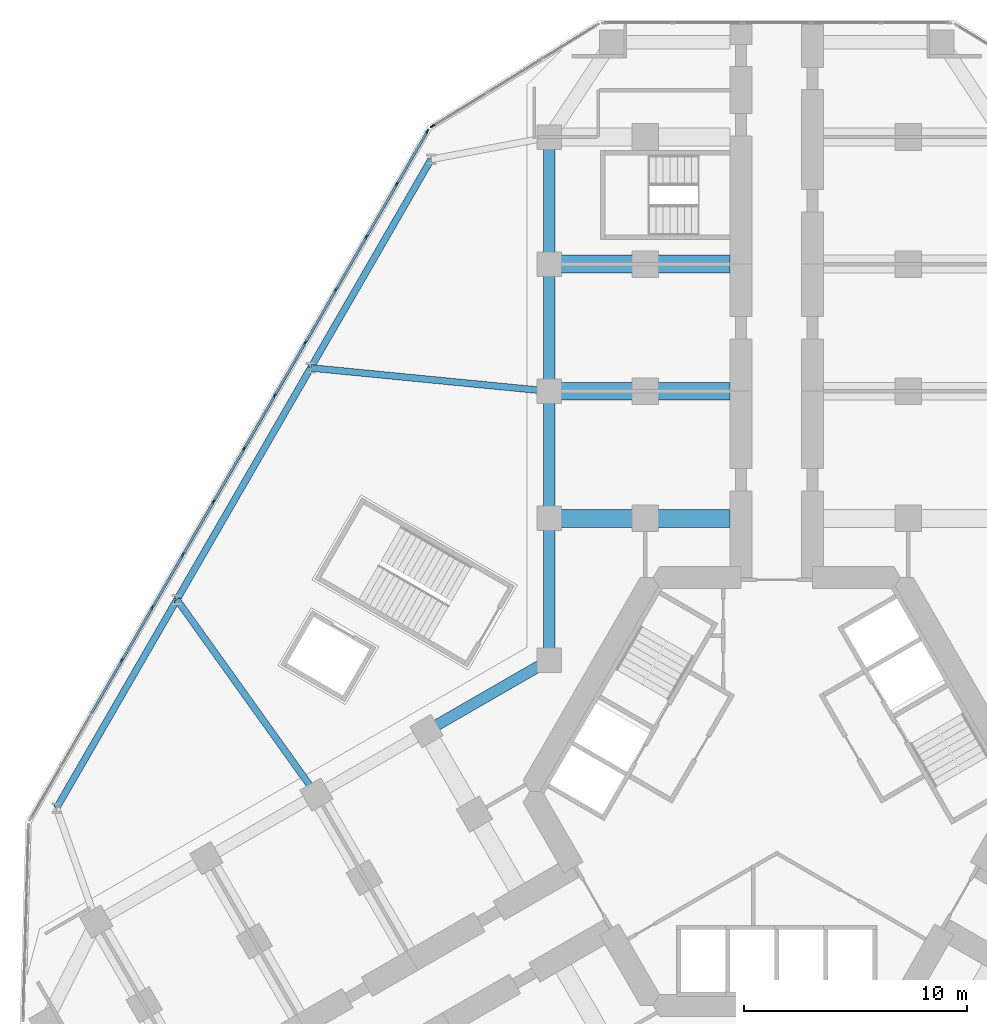
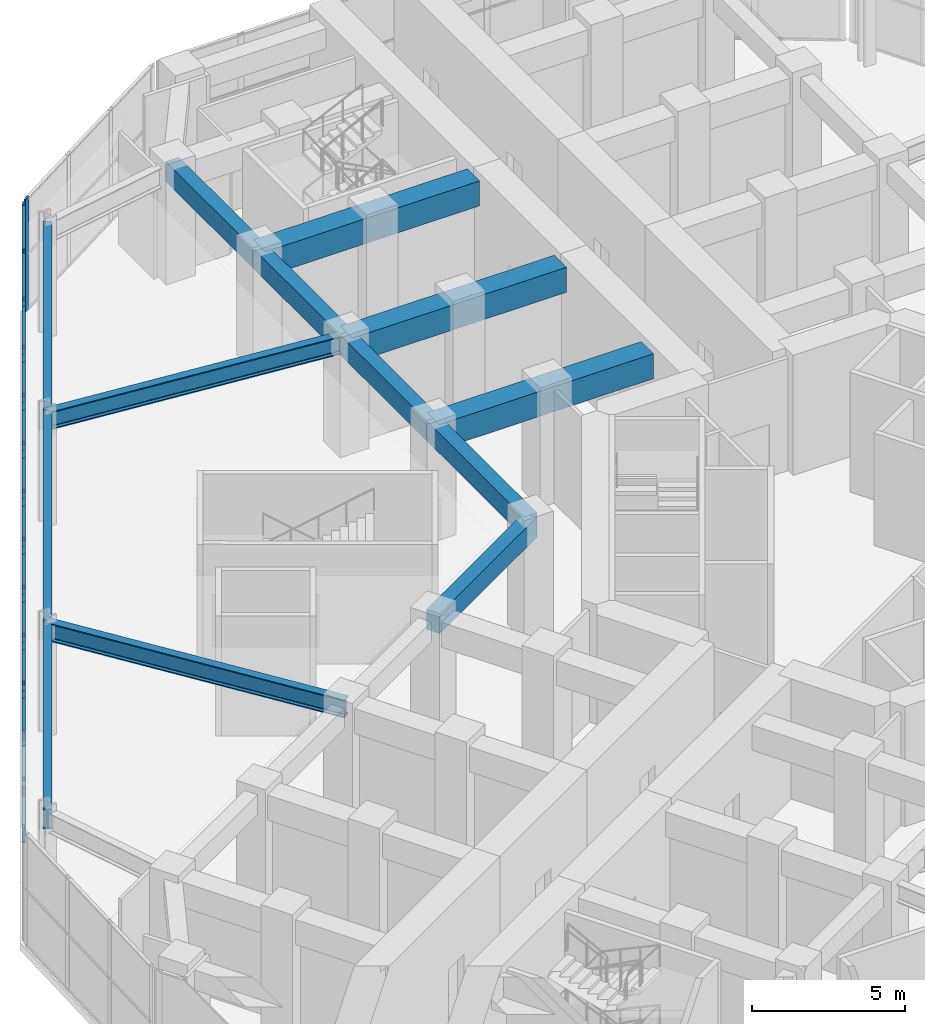
# One storey, part 7 of 22: 45 members, 13 beams, 2 elements without a shape of their own.
"""IFC4 building model written with IfcOpenShell, lengths in metres."""

from ifc_helpers import new_model, si_unit, direction, frame, origin, origin_2d, place, context, subcontext, project, spatial, rectangle, i_section, extrude, material, material_profile, profile_set, type_object, element, aggregate, save


model = new_model("IFC4")

# Units and contexts
model_context = context("Model", 3, precision=1e-05, world=origin(), true_north=direction((0.0, 1.0)))
body_context = subcontext(model_context, "Body", "Model", "MODEL_VIEW")
ifc_project = project(units=[si_unit("LENGTHUNIT", "METRE"), si_unit("AREAUNIT", "SQUARE_METRE"), si_unit("VOLUMEUNIT", "CUBIC_METRE"), si_unit("PLANEANGLEUNIT", "RADIAN"), si_unit("MASSUNIT", "GRAM", prefix="KILO")], contexts=[model_context])

# Site, building, storey
site_placement = place(None, origin())
site = spatial("IfcSite", under=ifc_project, at=site_placement, CompositionType="ELEMENT")
building_placement = place(site_placement, origin())
building = spatial("IfcBuilding", under=site, at=building_placement, Name="Kosmar Iwan School Tower", CompositionType="ELEMENT")
storey_placement = place(building_placement, frame((0.0, 0.0, 15.60009765625)))
storey = spatial("IfcBuildingStorey", under=building, at=storey_placement, Name="L03", CompositionType="ELEMENT", Elevation=15.60009765625)

# Beams
ifc_material_1 = material(Name="Steel S355", Category="steel")
ifc_material_profile_1 = material_profile(ifc_material_1, i_section(OverallWidth=0.300048828125, OverallDepth=0.800048828125, WebThickness=0.017578125, FlangeThickness=0.032958984375, FilletRadius=0.030029296875, at=origin_2d()), Name="HE 800 B")
ifc_profile_set_1 = profile_set([ifc_material_profile_1], Name="Steel S355")
beam_type_1 = type_object("IfcBeamType", Name="Infill edge beam HE 800 B", PredefinedType="BEAM", material=ifc_profile_set_1)
beam_1_placement = place(storey_placement, frame((-32.30224609375, -0.749267578125, 4.099853515625), z_axis=(0.499995103361, 0.866028230842, 0.0), x_axis=(-0.866028230842, 0.499995103361, 0.0)))
element("IfcBeam", 1, at=beam_1_placement, inside=storey, type_object=beam_type_1, Name="Infill edge beam AB2", PredefinedType="BEAM", context=body_context, shape_type="SweptSolid", body=[
    extrude(i_section(OverallWidth=0.300048828125, OverallDepth=0.800048828125, WebThickness=0.017578125, FlangeThickness=0.032958984375, FilletRadius=0.030029296875, at=origin_2d()), origin(), (0.0, 0.0, 1.0), 10.7998046875),
])
beam_2_placement = place(storey_placement, frame((-26.90234375, 8.603759765625, 4.099853515625), z_axis=(0.49999894854, 0.866026010844, 0.0), x_axis=(-0.866026010844, 0.49999894854, 0.0)))
element("IfcBeam", 2, at=beam_2_placement, inside=storey, type_object=beam_type_1, Name="Infill edge beam AB3", PredefinedType="BEAM", context=body_context, shape_type="SweptSolid", body=[
    extrude(i_section(OverallWidth=0.300048828125, OverallDepth=0.800048828125, WebThickness=0.017578125, FlangeThickness=0.032958984375, FilletRadius=0.030029296875, at=origin_2d()), origin(), (0.0, 0.0, 1.0), 12.0),
])
beam_3_placement = place(storey_placement, frame((-20.90234375, 18.99609375, 4.099853515625), z_axis=(0.500012057535, 0.866018442252, 0.0), x_axis=(-0.866018442252, 0.500012057535, 0.0)))
element("IfcBeam", 3, at=beam_3_placement, inside=storey, type_object=beam_type_1, Name="Infill edge beam AB4", PredefinedType="BEAM", context=body_context, shape_type="SweptSolid", body=[
    extrude(i_section(OverallWidth=0.300048828125, OverallDepth=0.800048828125, WebThickness=0.017578125, FlangeThickness=0.032958984375, FilletRadius=0.030029296875, at=origin_2d()), origin(), (0.0, 0.0, 1.0), 10.800048828125),
])
ifc_material_2 = material(Name="Steel S355", Category="steel")
ifc_material_profile_2 = material_profile(ifc_material_2, i_section(OverallWidth=0.303955078125, OverallDepth=0.716064453125, WebThickness=0.02099609375, FlangeThickness=0.0400390625, FilletRadius=0.027099609375, at=origin_2d()), Name="HE 700 M")
ifc_profile_set_2 = profile_set([ifc_material_profile_2], Name="Steel S355")
beam_type_2 = type_object("IfcBeamType", Name="Play deck girder HE 700 M", PredefinedType="BEAM", material=ifc_profile_set_2)
beam_4_placement = place(storey_placement, frame((-26.90234375, 8.603759765625, 4.141845703125), z_axis=(0.58187801822, -0.813276073614, 0.0), x_axis=(0.813276073614, 0.58187801822, 0.0)))
element("IfcBeam", 4, at=beam_4_placement, inside=storey, type_object=beam_type_2, Name="Infill girder AB2", PredefinedType="BEAM", context=body_context, shape_type="SweptSolid", body=[
    extrude(i_section(OverallWidth=0.303955078125, OverallDepth=0.716064453125, WebThickness=0.02099609375, FlangeThickness=0.0400390625, FilletRadius=0.027099609375, at=origin_2d()), origin(), (0.0, 0.0, 1.0), 10.753173828125),
])
beam_5_placement = place(storey_placement, frame((-20.90234375, 18.99609375, 4.141845703125), z_axis=(0.995256582335, -0.09728481546, 0.0), x_axis=(0.09728481546, 0.995256582335, 0.0)))
element("IfcBeam", 5, at=beam_5_placement, inside=storey, type_object=beam_type_2, Name="Infill girder AB3", PredefinedType="BEAM", context=body_context, shape_type="SweptSolid", body=[
    extrude(i_section(OverallWidth=0.303955078125, OverallDepth=0.716064453125, WebThickness=0.02099609375, FlangeThickness=0.0400390625, FilletRadius=0.027099609375, at=origin_2d()), origin(), (0.0, 0.0, 1.0), 10.75341796875),
])

# Curtain wall, member
ifc_material_3 = material(Name="Dark glass in black aluminium frame", Category="aluminium")
curtain_wall_type = type_object("IfcCurtainWallType", Name="Podium curtain wall", PredefinedType="USERDEFINED", material=ifc_material_3)
curtain_wall_1_placement = place(storey_placement, origin())
curtain_wall_1 = element("IfcCurtainWall", 6, at=curtain_wall_1_placement, inside=storey, type_object=curtain_wall_type, Name="Curtain wall L03-F07", ObjectType="STICK CURTAIN WALL", PredefinedType="USERDEFINED")
ifc_material_4 = material(Name="Black anodised aluminium", Category="aluminium")
ifc_material_profile_3 = material_profile(ifc_material_4, rectangle(XDim=0.06494140625, YDim=0.219970703125, at=origin_2d()), Name="MULLION 65x220")
ifc_profile_set_3 = profile_set([ifc_material_profile_3], Name="Black anodised aluminium")
member_type_1 = type_object("IfcMemberType", Name="Podium mullion 65x220", PredefinedType="MULLION", material=ifc_profile_set_3)
member_1_placement = place(storey_placement, frame((-15.433837890625, 29.84423828125, 0.0), z_axis=(0.0, 0.0, 1.0), x_axis=(0.524381722801, -0.851483299186, 0.0)))
member_1 = element("IfcMember", 7, at=member_1_placement, type_object=member_type_1, Name="CW3 mullion 4", PredefinedType="MULLION", context=body_context, shape_type="SweptSolid", body=[
    extrude(rectangle(XDim=0.06494140625, YDim=0.219970703125, at=origin_2d()), origin(), (0.0, 0.0, 1.0), 4.5),
])
aggregate(curtain_wall_1, [member_1])

# Curtain wall, members
curtain_wall_2_placement = place(storey_placement, origin())
curtain_wall_2 = element("IfcCurtainWall", 8, at=curtain_wall_2_placement, inside=storey, type_object=curtain_wall_type, Name="Curtain wall L03-F08", ObjectType="STICK CURTAIN WALL", PredefinedType="USERDEFINED")
member_2_placement = place(storey_placement, frame((-15.680419921875, 29.590576171875, 0.0), z_axis=(0.0, 0.0, 1.0), x_axis=(0.866025390869, -0.50000002237, 0.0)))
member_2 = element("IfcMember", 9, at=member_2_placement, type_object=member_type_1, Name="CW3 mullion 1", PredefinedType="MULLION", context=body_context, shape_type="SweptSolid", body=[
    extrude(rectangle(XDim=0.06494140625, YDim=0.219970703125, at=origin_2d()), origin(), (0.0, 0.0, 1.0), 4.5),
])
member_3_placement = place(storey_placement, frame((-17.034912109375, 27.24462890625, 0.0), z_axis=(0.0, 0.0, 1.0), x_axis=(0.866025390869, -0.50000002237, 0.0)))
member_3 = element("IfcMember", 10, at=member_3_placement, type_object=member_type_1, Name="CW3 mullion 2", PredefinedType="MULLION", context=body_context, shape_type="SweptSolid", body=[
    extrude(rectangle(XDim=0.06494140625, YDim=0.219970703125, at=origin_2d()), origin(), (0.0, 0.0, 1.0), 4.5),
])
member_4_placement = place(storey_placement, frame((-18.405517578125, 24.87060546875, 0.0), z_axis=(0.0, 0.0, 1.0), x_axis=(0.866025390869, -0.50000002237, 0.0)))
member_4 = element("IfcMember", 11, at=member_4_placement, type_object=member_type_1, Name="CW3 mullion 3", PredefinedType="MULLION", context=body_context, shape_type="SweptSolid", body=[
    extrude(rectangle(XDim=0.06494140625, YDim=0.219970703125, at=origin_2d()), origin(), (0.0, 0.0, 1.0), 4.5),
])
member_5_placement = place(storey_placement, frame((-19.776123046875, 22.49658203125, 0.0), z_axis=(0.0, 0.0, 1.0), x_axis=(0.866025390869, -0.50000002237, 0.0)))
member_5 = element("IfcMember", 12, at=member_5_placement, type_object=member_type_1, Name="CW3 mullion 4", PredefinedType="MULLION", context=body_context, shape_type="SweptSolid", body=[
    extrude(rectangle(XDim=0.06494140625, YDim=0.219970703125, at=origin_2d()), origin(), (0.0, 0.0, 1.0), 4.5),
])
member_6_placement = place(storey_placement, frame((-21.14697265625, 20.12255859375, 0.0), z_axis=(0.0, 0.0, 1.0), x_axis=(0.866025390869, -0.50000002237, 0.0)))
member_6 = element("IfcMember", 13, at=member_6_placement, type_object=member_type_1, Name="CW3 mullion 5", PredefinedType="MULLION", context=body_context, shape_type="SweptSolid", body=[
    extrude(rectangle(XDim=0.06494140625, YDim=0.219970703125, at=origin_2d()), origin(), (0.0, 0.0, 1.0), 4.5),
])
member_7_placement = place(storey_placement, frame((-22.517578125, 17.74853515625, 0.0), z_axis=(0.0, 0.0, 1.0), x_axis=(0.866025390869, -0.50000002237, 0.0)))
member_7 = element("IfcMember", 14, at=member_7_placement, type_object=member_type_1, Name="CW3 mullion 6", PredefinedType="MULLION", context=body_context, shape_type="SweptSolid", body=[
    extrude(rectangle(XDim=0.06494140625, YDim=0.219970703125, at=origin_2d()), origin(), (0.0, 0.0, 1.0), 4.5),
])
member_8_placement = place(storey_placement, frame((-23.88818359375, 15.37451171875, 0.0), z_axis=(0.0, 0.0, 1.0), x_axis=(0.866025390869, -0.50000002237, 0.0)))
member_8 = element("IfcMember", 15, at=member_8_placement, type_object=member_type_1, Name="CW3 mullion 7", PredefinedType="MULLION", context=body_context, shape_type="SweptSolid", body=[
    extrude(rectangle(XDim=0.06494140625, YDim=0.219970703125, at=origin_2d()), origin(), (0.0, 0.0, 1.0), 4.5),
])
member_9_placement = place(storey_placement, frame((-25.2587890625, 13.00048828125, 0.0), z_axis=(0.0, 0.0, 1.0), x_axis=(0.866025390869, -0.50000002237, 0.0)))
member_9 = element("IfcMember", 16, at=member_9_placement, type_object=member_type_1, Name="CW3 mullion 8", PredefinedType="MULLION", context=body_context, shape_type="SweptSolid", body=[
    extrude(rectangle(XDim=0.06494140625, YDim=0.219970703125, at=origin_2d()), origin(), (0.0, 0.0, 1.0), 4.5),
])
member_10_placement = place(storey_placement, frame((-26.62939453125, 10.62646484375, 0.0), z_axis=(0.0, 0.0, 1.0), x_axis=(0.866025390869, -0.50000002237, 0.0)))
member_10 = element("IfcMember", 17, at=member_10_placement, type_object=member_type_1, Name="CW3 mullion 9", PredefinedType="MULLION", context=body_context, shape_type="SweptSolid", body=[
    extrude(rectangle(XDim=0.06494140625, YDim=0.219970703125, at=origin_2d()), origin(), (0.0, 0.0, 1.0), 4.5),
])
member_11_placement = place(storey_placement, frame((-28.0, 8.25244140625, 0.0), z_axis=(0.0, 0.0, 1.0), x_axis=(0.866025390869, -0.50000002237, 0.0)))
member_11 = element("IfcMember", 18, at=member_11_placement, type_object=member_type_1, Name="CW3 mullion 10", PredefinedType="MULLION", context=body_context, shape_type="SweptSolid", body=[
    extrude(rectangle(XDim=0.06494140625, YDim=0.219970703125, at=origin_2d()), origin(), (0.0, 0.0, 1.0), 4.5),
])
member_12_placement = place(storey_placement, frame((-29.370849609375, 5.87841796875, 0.0), z_axis=(0.0, 0.0, 1.0), x_axis=(0.866025390869, -0.50000002237, 0.0)))
member_12 = element("IfcMember", 19, at=member_12_placement, type_object=member_type_1, Name="CW3 mullion 11", PredefinedType="MULLION", context=body_context, shape_type="SweptSolid", body=[
    extrude(rectangle(XDim=0.06494140625, YDim=0.219970703125, at=origin_2d()), origin(), (0.0, 0.0, 1.0), 4.5),
])

# Beams
ifc_material_5 = material(Name="Concrete C50/60", Category="concrete")
ifc_material_profile_4 = material_profile(ifc_material_5, rectangle(XDim=0.5, YDim=0.800048828125, at=origin_2d()), Name="RC 500x800")
ifc_profile_set_4 = profile_set([ifc_material_profile_4], Name="Concrete C50/60")
beam_type_3 = type_object("IfcBeamType", Name="RC edge beam 500x800", PredefinedType="BEAM", material=ifc_profile_set_4)
beam_6_placement = place(storey_placement, frame((-10.199951171875, 5.888916015625, 4.099853515625), z_axis=(0.0, 1.0, 0.0), x_axis=(-1.0, 0.0, 0.0)))
element("IfcBeam", 20, at=beam_6_placement, inside=storey, type_object=beam_type_3, Name="Edge beam AL1", PredefinedType="BEAM", context=body_context, shape_type="SweptSolid", body=[
    extrude(rectangle(XDim=0.5, YDim=0.800048828125, at=origin_2d()), origin(), (0.0, 0.0, 1.0), 6.361083984375),
])
for number, where, z_axis, x_axis, name in (
    (21, (-10.199951171875, 12.25, 4.099853515625), (0.0, 1.0, 0.0), (-1.0, 0.0, 0.0), "Edge beam AL2"),
    (22, (-10.199951171875, 17.949951171875, 4.099853515625), (0.0, 1.0, 0.0), (-1.0, 0.0, 0.0), "Edge beam AL3"),
):
    element("IfcBeam", number, at=place(storey_placement, frame(where, z_axis=z_axis, x_axis=x_axis)), inside=storey, type_object=beam_type_3, Name=name, PredefinedType="BEAM", context=body_context, shape_type="SweptSolid", body=[
        extrude(rectangle(XDim=0.5, YDim=0.800048828125, at=origin_2d()), origin(), (0.0, 0.0, 1.0), 5.699951171875),
    ])
beam_7_placement = place(storey_placement, frame((-10.199951171875, 23.64990234375, 4.099853515625), z_axis=(0.0, 1.0, 0.0), x_axis=(-1.0, 0.0, 0.0)))
element("IfcBeam", 23, at=beam_7_placement, inside=storey, type_object=beam_type_3, Name="Edge beam AL4", PredefinedType="BEAM", context=body_context, shape_type="SweptSolid", body=[
    extrude(rectangle(XDim=0.5, YDim=0.800048828125, at=origin_2d()), origin(), (0.0, 0.0, 1.0), 5.7001953125),
])
beam_8_placement = place(storey_placement, frame((-10.199951171875, 5.888916015625, 4.099853515625), z_axis=(-0.866030912664, -0.49999045822, 0.0), x_axis=(0.49999045822, -0.866030912664, 0.0)))
element("IfcBeam", 24, at=beam_8_placement, inside=storey, type_object=beam_type_3, Name="Edge beam BR1", PredefinedType="BEAM", context=body_context, shape_type="SweptSolid", body=[
    extrude(rectangle(XDim=0.5, YDim=0.800048828125, at=origin_2d()), origin(), (0.0, 0.0, 1.0), 6.36083984375),
])
ifc_material_6 = material(Name="Concrete C50/60", Category="concrete")
ifc_material_profile_5 = material_profile(ifc_material_6, rectangle(XDim=0.800048828125, YDim=1.0, at=origin_2d()), Name="RC 800x1000")
ifc_profile_set_5 = profile_set([ifc_material_profile_5], Name="Concrete C50/60")
beam_type_4 = type_object("IfcBeamType", Name="RC transverse beam 800x1000", PredefinedType="BEAM", material=ifc_profile_set_5)
for number, where, z_axis, x_axis, name in (
    (25, (-10.199951171875, 12.25, 4.0), (1.0, 0.0, 0.0), (0.0, 1.0, 0.0), "Transverse beam AL1"),
    (26, (-10.199951171875, 17.949951171875, 4.0), (1.0, 0.0, 0.0), (0.0, 1.0, 0.0), "Transverse beam AL2"),
    (27, (-10.199951171875, 23.64990234375, 4.0), (1.0, 0.0, 0.0), (0.0, 1.0, 0.0), "Transverse beam AL3"),
):
    element("IfcBeam", number, at=place(storey_placement, frame(where, z_axis=z_axis, x_axis=x_axis)), inside=storey, type_object=beam_type_4, Name=name, PredefinedType="BEAM", context=body_context, shape_type="SweptSolid", body=[
        extrude(rectangle(XDim=0.800048828125, YDim=1.0, at=origin_2d()), origin(), (0.0, 0.0, 1.0), 8.099853515625),
    ])

# Member
ifc_material_7 = material(Name="Black anodised aluminium", Category="aluminium")
ifc_material_profile_6 = material_profile(ifc_material_7, rectangle(XDim=0.1201171875, YDim=0.06005859375, at=origin_2d()), Name="TRANSOM 60x120")
ifc_profile_set_6 = profile_set([ifc_material_profile_6], Name="Black anodised aluminium")
member_type_2 = type_object("IfcMemberType", Name="Transom 60x120", PredefinedType="USERDEFINED", material=ifc_profile_set_6)
member_13_placement = place(storey_placement, frame((-15.69677734375, 29.5625, 0.02978515625), z_axis=(-0.499932946999, -0.866064113392, 0.0), x_axis=(0.866064113392, -0.499932946999, 0.0)))
member_13 = element("IfcMember", 28, at=member_13_placement, type_object=member_type_2, Name="CW3 transom 1.1", ObjectType="TRANSOM", PredefinedType="USERDEFINED", context=body_context, shape_type="SweptSolid", body=[
    extrude(rectangle(XDim=0.1201171875, YDim=0.06005859375, at=origin_2d()), origin(), (0.0, 0.0, 1.0), 2.643798828125),
])

member_14_placement = place(storey_placement, frame((-15.69677734375, 29.5625, 2.25), z_axis=(-0.499932946999, -0.866064113392, 0.0), x_axis=(0.866064113392, -0.499932946999, 0.0)))
member_14 = element("IfcMember", 29, at=member_14_placement, type_object=member_type_2, Name="CW3 transom 1.2", ObjectType="TRANSOM", PredefinedType="USERDEFINED", context=body_context, shape_type="SweptSolid", body=[
    extrude(rectangle(XDim=0.1201171875, YDim=0.06005859375, at=origin_2d()), origin(), (0.0, 0.0, 1.0), 2.643798828125),
])

member_15_placement = place(storey_placement, frame((-15.69677734375, 29.5625, 4.469970703125), z_axis=(-0.499932946999, -0.866064113392, 0.0), x_axis=(0.866064113392, -0.499932946999, 0.0)))
member_15 = element("IfcMember", 30, at=member_15_placement, type_object=member_type_2, Name="CW3 transom 1.3", ObjectType="TRANSOM", PredefinedType="USERDEFINED", context=body_context, shape_type="SweptSolid", body=[
    extrude(rectangle(XDim=0.1201171875, YDim=0.06005859375, at=origin_2d()), origin(), (0.0, 0.0, 1.0), 2.643798828125),
])

member_16_placement = place(storey_placement, frame((-17.05126953125, 27.216552734375, 0.02978515625), z_axis=(-0.499975134057, -0.866039759667, 0.0), x_axis=(0.866039759667, -0.499975134057, 0.0)))
member_16 = element("IfcMember", 31, at=member_16_placement, type_object=member_type_2, Name="CW3 transom 2.1", ObjectType="TRANSOM", PredefinedType="USERDEFINED", context=body_context, shape_type="SweptSolid", body=[
    extrude(rectangle(XDim=0.1201171875, YDim=0.06005859375, at=origin_2d()), origin(), (0.0, 0.0, 1.0), 2.676513671875),
])

member_17_placement = place(storey_placement, frame((-17.05126953125, 27.216552734375, 2.25), z_axis=(-0.499975134057, -0.866039759667, 0.0), x_axis=(0.866039759667, -0.499975134057, 0.0)))
member_17 = element("IfcMember", 32, at=member_17_placement, type_object=member_type_2, Name="CW3 transom 2.2", ObjectType="TRANSOM", PredefinedType="USERDEFINED", context=body_context, shape_type="SweptSolid", body=[
    extrude(rectangle(XDim=0.1201171875, YDim=0.06005859375, at=origin_2d()), origin(), (0.0, 0.0, 1.0), 2.676513671875),
])

member_18_placement = place(storey_placement, frame((-17.05126953125, 27.216552734375, 4.469970703125), z_axis=(-0.499975134057, -0.866039759667, 0.0), x_axis=(0.866039759667, -0.499975134057, 0.0)))
member_18 = element("IfcMember", 33, at=member_18_placement, type_object=member_type_2, Name="CW3 transom 2.3", ObjectType="TRANSOM", PredefinedType="USERDEFINED", context=body_context, shape_type="SweptSolid", body=[
    extrude(rectangle(XDim=0.1201171875, YDim=0.06005859375, at=origin_2d()), origin(), (0.0, 0.0, 1.0), 2.676513671875),
])

member_19_placement = place(storey_placement, frame((-18.421875, 24.842529296875, 0.02978515625), z_axis=(-0.499975134057, -0.866039759667, 0.0), x_axis=(0.866039759667, -0.499975134057, 0.0)))
member_19 = element("IfcMember", 34, at=member_19_placement, type_object=member_type_2, Name="CW3 transom 3.1", ObjectType="TRANSOM", PredefinedType="USERDEFINED", context=body_context, shape_type="SweptSolid", body=[
    extrude(rectangle(XDim=0.1201171875, YDim=0.06005859375, at=origin_2d()), origin(), (0.0, 0.0, 1.0), 2.676513671875),
])

member_20_placement = place(storey_placement, frame((-18.421875, 24.842529296875, 2.25), z_axis=(-0.499975134057, -0.866039759667, 0.0), x_axis=(0.866039759667, -0.499975134057, 0.0)))
member_20 = element("IfcMember", 35, at=member_20_placement, type_object=member_type_2, Name="CW3 transom 3.2", ObjectType="TRANSOM", PredefinedType="USERDEFINED", context=body_context, shape_type="SweptSolid", body=[
    extrude(rectangle(XDim=0.1201171875, YDim=0.06005859375, at=origin_2d()), origin(), (0.0, 0.0, 1.0), 2.676513671875),
])

member_21_placement = place(storey_placement, frame((-18.421875, 24.842529296875, 4.469970703125), z_axis=(-0.499975134057, -0.866039759667, 0.0), x_axis=(0.866039759667, -0.499975134057, 0.0)))
member_21 = element("IfcMember", 36, at=member_21_placement, type_object=member_type_2, Name="CW3 transom 3.3", ObjectType="TRANSOM", PredefinedType="USERDEFINED", context=body_context, shape_type="SweptSolid", body=[
    extrude(rectangle(XDim=0.1201171875, YDim=0.06005859375, at=origin_2d()), origin(), (0.0, 0.0, 1.0), 2.676513671875),
])

member_22_placement = place(storey_placement, frame((-19.79248046875, 22.468505859375, 0.02978515625), z_axis=(-0.499975134057, -0.866039759667, 0.0), x_axis=(0.866039759667, -0.499975134057, 0.0)))
member_22 = element("IfcMember", 37, at=member_22_placement, type_object=member_type_2, Name="CW3 transom 4.1", ObjectType="TRANSOM", PredefinedType="USERDEFINED", context=body_context, shape_type="SweptSolid", body=[
    extrude(rectangle(XDim=0.1201171875, YDim=0.06005859375, at=origin_2d()), origin(), (0.0, 0.0, 1.0), 2.676513671875),
])

member_23_placement = place(storey_placement, frame((-19.79248046875, 22.468505859375, 2.25), z_axis=(-0.499975134057, -0.866039759667, 0.0), x_axis=(0.866039759667, -0.499975134057, 0.0)))
member_23 = element("IfcMember", 38, at=member_23_placement, type_object=member_type_2, Name="CW3 transom 4.2", ObjectType="TRANSOM", PredefinedType="USERDEFINED", context=body_context, shape_type="SweptSolid", body=[
    extrude(rectangle(XDim=0.1201171875, YDim=0.06005859375, at=origin_2d()), origin(), (0.0, 0.0, 1.0), 2.676513671875),
])

member_24_placement = place(storey_placement, frame((-19.79248046875, 22.468505859375, 4.469970703125), z_axis=(-0.499975134057, -0.866039759667, 0.0), x_axis=(0.866039759667, -0.499975134057, 0.0)))
member_24 = element("IfcMember", 39, at=member_24_placement, type_object=member_type_2, Name="CW3 transom 4.3", ObjectType="TRANSOM", PredefinedType="USERDEFINED", context=body_context, shape_type="SweptSolid", body=[
    extrude(rectangle(XDim=0.1201171875, YDim=0.06005859375, at=origin_2d()), origin(), (0.0, 0.0, 1.0), 2.676513671875),
])

member_25_placement = place(storey_placement, frame((-21.1630859375, 20.094482421875, 0.02978515625), z_axis=(-0.499975134057, -0.866039759667, 0.0), x_axis=(0.866039759667, -0.499975134057, 0.0)))
member_25 = element("IfcMember", 40, at=member_25_placement, type_object=member_type_2, Name="CW3 transom 5.1", ObjectType="TRANSOM", PredefinedType="USERDEFINED", context=body_context, shape_type="SweptSolid", body=[
    extrude(rectangle(XDim=0.1201171875, YDim=0.06005859375, at=origin_2d()), origin(), (0.0, 0.0, 1.0), 2.676513671875),
])

member_26_placement = place(storey_placement, frame((-21.1630859375, 20.094482421875, 2.25), z_axis=(-0.499975134057, -0.866039759667, 0.0), x_axis=(0.866039759667, -0.499975134057, 0.0)))
member_26 = element("IfcMember", 41, at=member_26_placement, type_object=member_type_2, Name="CW3 transom 5.2", ObjectType="TRANSOM", PredefinedType="USERDEFINED", context=body_context, shape_type="SweptSolid", body=[
    extrude(rectangle(XDim=0.1201171875, YDim=0.06005859375, at=origin_2d()), origin(), (0.0, 0.0, 1.0), 2.676513671875),
])

member_27_placement = place(storey_placement, frame((-21.1630859375, 20.094482421875, 4.469970703125), z_axis=(-0.499975134057, -0.866039759667, 0.0), x_axis=(0.866039759667, -0.499975134057, 0.0)))
member_27 = element("IfcMember", 42, at=member_27_placement, type_object=member_type_2, Name="CW3 transom 5.3", ObjectType="TRANSOM", PredefinedType="USERDEFINED", context=body_context, shape_type="SweptSolid", body=[
    extrude(rectangle(XDim=0.1201171875, YDim=0.06005859375, at=origin_2d()), origin(), (0.0, 0.0, 1.0), 2.676513671875),
])

member_28_placement = place(storey_placement, frame((-22.53369140625, 17.720458984375, 0.02978515625), z_axis=(-0.499975134057, -0.866039759667, 0.0), x_axis=(0.866039759667, -0.499975134057, 0.0)))
member_28 = element("IfcMember", 43, at=member_28_placement, type_object=member_type_2, Name="CW3 transom 6.1", ObjectType="TRANSOM", PredefinedType="USERDEFINED", context=body_context, shape_type="SweptSolid", body=[
    extrude(rectangle(XDim=0.1201171875, YDim=0.06005859375, at=origin_2d()), origin(), (0.0, 0.0, 1.0), 2.676513671875),
])

member_29_placement = place(storey_placement, frame((-22.53369140625, 17.720458984375, 2.25), z_axis=(-0.499975134057, -0.866039759667, 0.0), x_axis=(0.866039759667, -0.499975134057, 0.0)))
member_29 = element("IfcMember", 44, at=member_29_placement, type_object=member_type_2, Name="CW3 transom 6.2", ObjectType="TRANSOM", PredefinedType="USERDEFINED", context=body_context, shape_type="SweptSolid", body=[
    extrude(rectangle(XDim=0.1201171875, YDim=0.06005859375, at=origin_2d()), origin(), (0.0, 0.0, 1.0), 2.676513671875),
])

member_30_placement = place(storey_placement, frame((-22.53369140625, 17.720458984375, 4.469970703125), z_axis=(-0.499975134057, -0.866039759667, 0.0), x_axis=(0.866039759667, -0.499975134057, 0.0)))
member_30 = element("IfcMember", 45, at=member_30_placement, type_object=member_type_2, Name="CW3 transom 6.3", ObjectType="TRANSOM", PredefinedType="USERDEFINED", context=body_context, shape_type="SweptSolid", body=[
    extrude(rectangle(XDim=0.1201171875, YDim=0.06005859375, at=origin_2d()), origin(), (0.0, 0.0, 1.0), 2.676513671875),
])

member_31_placement = place(storey_placement, frame((-23.904296875, 15.346435546875, 0.02978515625), z_axis=(-0.499975134057, -0.866039759667, 0.0), x_axis=(0.866039759667, -0.499975134057, 0.0)))
member_31 = element("IfcMember", 46, at=member_31_placement, type_object=member_type_2, Name="CW3 transom 7.1", ObjectType="TRANSOM", PredefinedType="USERDEFINED", context=body_context, shape_type="SweptSolid", body=[
    extrude(rectangle(XDim=0.1201171875, YDim=0.06005859375, at=origin_2d()), origin(), (0.0, 0.0, 1.0), 2.676513671875),
])

member_32_placement = place(storey_placement, frame((-23.904296875, 15.346435546875, 2.25), z_axis=(-0.499975134057, -0.866039759667, 0.0), x_axis=(0.866039759667, -0.499975134057, 0.0)))
member_32 = element("IfcMember", 47, at=member_32_placement, type_object=member_type_2, Name="CW3 transom 7.2", ObjectType="TRANSOM", PredefinedType="USERDEFINED", context=body_context, shape_type="SweptSolid", body=[
    extrude(rectangle(XDim=0.1201171875, YDim=0.06005859375, at=origin_2d()), origin(), (0.0, 0.0, 1.0), 2.676513671875),
])

member_33_placement = place(storey_placement, frame((-23.904296875, 15.346435546875, 4.469970703125), z_axis=(-0.499975134057, -0.866039759667, 0.0), x_axis=(0.866039759667, -0.499975134057, 0.0)))
member_33 = element("IfcMember", 48, at=member_33_placement, type_object=member_type_2, Name="CW3 transom 7.3", ObjectType="TRANSOM", PredefinedType="USERDEFINED", context=body_context, shape_type="SweptSolid", body=[
    extrude(rectangle(XDim=0.1201171875, YDim=0.06005859375, at=origin_2d()), origin(), (0.0, 0.0, 1.0), 2.676513671875),
])

member_34_placement = place(storey_placement, frame((-25.275146484375, 12.972412109375, 0.02978515625), z_axis=(-0.499975134057, -0.866039759667, 0.0), x_axis=(0.866039759667, -0.499975134057, 0.0)))
member_34 = element("IfcMember", 49, at=member_34_placement, type_object=member_type_2, Name="CW3 transom 8.1", ObjectType="TRANSOM", PredefinedType="USERDEFINED", context=body_context, shape_type="SweptSolid", body=[
    extrude(rectangle(XDim=0.1201171875, YDim=0.06005859375, at=origin_2d()), origin(), (0.0, 0.0, 1.0), 2.676513671875),
])

member_35_placement = place(storey_placement, frame((-25.275146484375, 12.972412109375, 2.25), z_axis=(-0.499975134057, -0.866039759667, 0.0), x_axis=(0.866039759667, -0.499975134057, 0.0)))
member_35 = element("IfcMember", 50, at=member_35_placement, type_object=member_type_2, Name="CW3 transom 8.2", ObjectType="TRANSOM", PredefinedType="USERDEFINED", context=body_context, shape_type="SweptSolid", body=[
    extrude(rectangle(XDim=0.1201171875, YDim=0.06005859375, at=origin_2d()), origin(), (0.0, 0.0, 1.0), 2.676513671875),
])

member_36_placement = place(storey_placement, frame((-25.275146484375, 12.972412109375, 4.469970703125), z_axis=(-0.499975134057, -0.866039759667, 0.0), x_axis=(0.866039759667, -0.499975134057, 0.0)))
member_36 = element("IfcMember", 51, at=member_36_placement, type_object=member_type_2, Name="CW3 transom 8.3", ObjectType="TRANSOM", PredefinedType="USERDEFINED", context=body_context, shape_type="SweptSolid", body=[
    extrude(rectangle(XDim=0.1201171875, YDim=0.06005859375, at=origin_2d()), origin(), (0.0, 0.0, 1.0), 2.676513671875),
])

member_37_placement = place(storey_placement, frame((-26.645751953125, 10.598388671875, 0.02978515625), z_axis=(-0.499975134057, -0.866039759667, 0.0), x_axis=(0.866039759667, -0.499975134057, 0.0)))
member_37 = element("IfcMember", 52, at=member_37_placement, type_object=member_type_2, Name="CW3 transom 9.1", ObjectType="TRANSOM", PredefinedType="USERDEFINED", context=body_context, shape_type="SweptSolid", body=[
    extrude(rectangle(XDim=0.1201171875, YDim=0.06005859375, at=origin_2d()), origin(), (0.0, 0.0, 1.0), 2.676513671875),
])

member_38_placement = place(storey_placement, frame((-26.645751953125, 10.598388671875, 2.25), z_axis=(-0.499975134057, -0.866039759667, 0.0), x_axis=(0.866039759667, -0.499975134057, 0.0)))
member_38 = element("IfcMember", 53, at=member_38_placement, type_object=member_type_2, Name="CW3 transom 9.2", ObjectType="TRANSOM", PredefinedType="USERDEFINED", context=body_context, shape_type="SweptSolid", body=[
    extrude(rectangle(XDim=0.1201171875, YDim=0.06005859375, at=origin_2d()), origin(), (0.0, 0.0, 1.0), 2.676513671875),
])

member_39_placement = place(storey_placement, frame((-26.645751953125, 10.598388671875, 4.469970703125), z_axis=(-0.499975134057, -0.866039759667, 0.0), x_axis=(0.866039759667, -0.499975134057, 0.0)))
member_39 = element("IfcMember", 54, at=member_39_placement, type_object=member_type_2, Name="CW3 transom 9.3", ObjectType="TRANSOM", PredefinedType="USERDEFINED", context=body_context, shape_type="SweptSolid", body=[
    extrude(rectangle(XDim=0.1201171875, YDim=0.06005859375, at=origin_2d()), origin(), (0.0, 0.0, 1.0), 2.676513671875),
])

member_40_placement = place(storey_placement, frame((-28.016357421875, 8.224365234375, 0.02978515625), z_axis=(-0.499975134057, -0.866039759667, 0.0), x_axis=(0.866039759667, -0.499975134057, 0.0)))
member_40 = element("IfcMember", 55, at=member_40_placement, type_object=member_type_2, Name="CW3 transom 10.1", ObjectType="TRANSOM", PredefinedType="USERDEFINED", context=body_context, shape_type="SweptSolid", body=[
    extrude(rectangle(XDim=0.1201171875, YDim=0.06005859375, at=origin_2d()), origin(), (0.0, 0.0, 1.0), 2.676513671875),
])

member_41_placement = place(storey_placement, frame((-28.016357421875, 8.224365234375, 2.25), z_axis=(-0.499975134057, -0.866039759667, 0.0), x_axis=(0.866039759667, -0.499975134057, 0.0)))
member_41 = element("IfcMember", 56, at=member_41_placement, type_object=member_type_2, Name="CW3 transom 10.2", ObjectType="TRANSOM", PredefinedType="USERDEFINED", context=body_context, shape_type="SweptSolid", body=[
    extrude(rectangle(XDim=0.1201171875, YDim=0.06005859375, at=origin_2d()), origin(), (0.0, 0.0, 1.0), 2.676513671875),
])

member_42_placement = place(storey_placement, frame((-28.016357421875, 8.224365234375, 4.469970703125), z_axis=(-0.499975134057, -0.866039759667, 0.0), x_axis=(0.866039759667, -0.499975134057, 0.0)))
member_42 = element("IfcMember", 57, at=member_42_placement, type_object=member_type_2, Name="CW3 transom 10.3", ObjectType="TRANSOM", PredefinedType="USERDEFINED", context=body_context, shape_type="SweptSolid", body=[
    extrude(rectangle(XDim=0.1201171875, YDim=0.06005859375, at=origin_2d()), origin(), (0.0, 0.0, 1.0), 2.676513671875),
])

member_43_placement = place(storey_placement, frame((-29.386962890625, 5.850341796875, 0.02978515625), z_axis=(-0.499975134057, -0.866039759667, 0.0), x_axis=(0.866039759667, -0.499975134057, 0.0)))
member_43 = element("IfcMember", 58, at=member_43_placement, type_object=member_type_2, Name="CW3 transom 11.1", ObjectType="TRANSOM", PredefinedType="USERDEFINED", context=body_context, shape_type="SweptSolid", body=[
    extrude(rectangle(XDim=0.1201171875, YDim=0.06005859375, at=origin_2d()), origin(), (0.0, 0.0, 1.0), 2.676513671875),
])

member_44_placement = place(storey_placement, frame((-29.386962890625, 5.850341796875, 2.25), z_axis=(-0.499975134057, -0.866039759667, 0.0), x_axis=(0.866039759667, -0.499975134057, 0.0)))
member_44 = element("IfcMember", 59, at=member_44_placement, type_object=member_type_2, Name="CW3 transom 11.2", ObjectType="TRANSOM", PredefinedType="USERDEFINED", context=body_context, shape_type="SweptSolid", body=[
    extrude(rectangle(XDim=0.1201171875, YDim=0.06005859375, at=origin_2d()), origin(), (0.0, 0.0, 1.0), 2.676513671875),
])

member_45_placement = place(storey_placement, frame((-29.386962890625, 5.850341796875, 4.469970703125), z_axis=(-0.499975134057, -0.866039759667, 0.0), x_axis=(0.866039759667, -0.499975134057, 0.0)))
member_45 = element("IfcMember", 60, at=member_45_placement, type_object=member_type_2, Name="CW3 transom 11.3", ObjectType="TRANSOM", PredefinedType="USERDEFINED", context=body_context, shape_type="SweptSolid", body=[
    extrude(rectangle(XDim=0.1201171875, YDim=0.06005859375, at=origin_2d()), origin(), (0.0, 0.0, 1.0), 2.676513671875),
])

aggregate(curtain_wall_2, [member_2, member_3, member_4, member_5, member_6, member_7, member_8, member_9, member_10, member_11, member_12, member_13, member_14, member_15, member_16, member_17, member_18, member_19, member_20, member_21, member_22, member_23, member_24, member_25, member_26, member_27, member_28, member_29, member_30, member_31, member_32, member_33, member_34, member_35, member_36, member_37, member_38, member_39, member_40, member_41, member_42, member_43, member_44, member_45])

save(model, "model.ifc")
